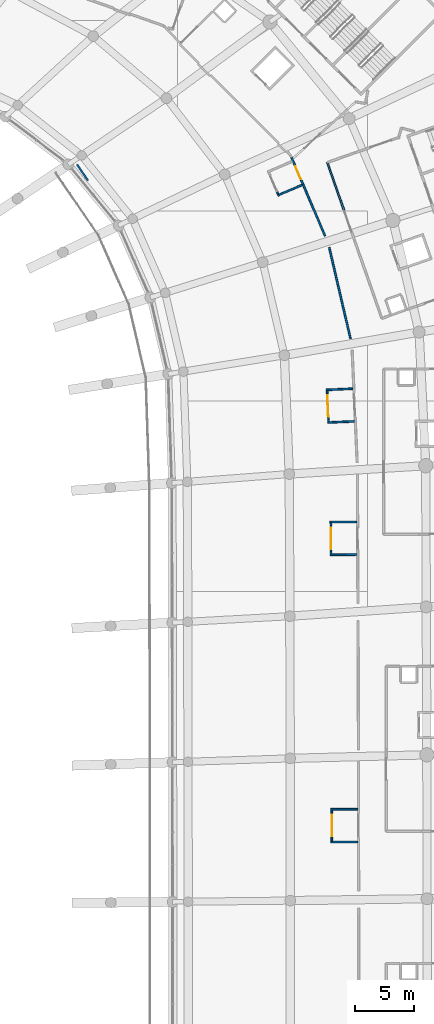
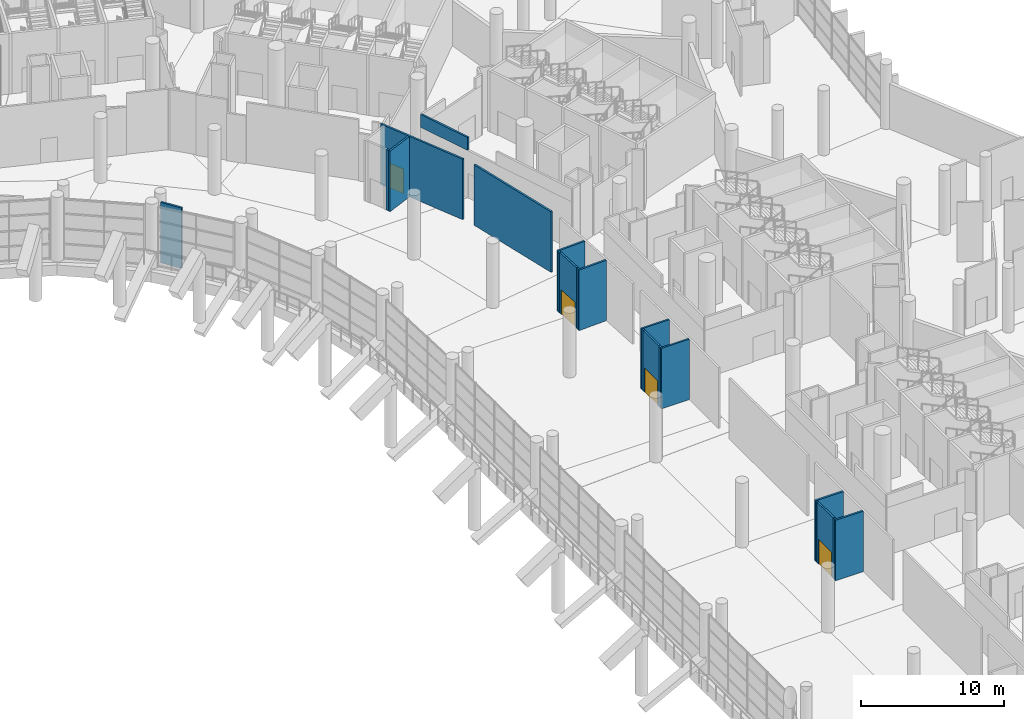
# One storey, part 190 of 271: 21 walls, 4 doors, 4 openings.
"""IFC4 building model written with IfcOpenShell, lengths in metres."""

from ifc_helpers import new_model, si_unit, direction, frame, frame_2d, origin, place, context, subcontext, project, spatial, rectangle, extrude, material, layer, layer_set, type_object, element, fill, save


model = new_model("IFC4")

# Units and contexts
model_context = context("Model", 3, precision=1e-05, world=origin(), true_north=direction((0.0, 1.0)))
body_context = subcontext(model_context, "Body", "Model", "MODEL_VIEW")
ifc_project = project(units=[si_unit("LENGTHUNIT", "METRE"), si_unit("AREAUNIT", "SQUARE_METRE"), si_unit("VOLUMEUNIT", "CUBIC_METRE"), si_unit("PLANEANGLEUNIT", "RADIAN"), si_unit("MASSUNIT", "GRAM", prefix="KILO")], contexts=[model_context])

# Site, building, storey
site_placement = place(None, origin())
site = spatial("IfcSite", under=ifc_project, at=site_placement, CompositionType="ELEMENT")
building_placement = place(site_placement, origin())
building = spatial("IfcBuilding", under=site, at=building_placement, Name="Meseta Stadium", CompositionType="ELEMENT")
storey_placement = place(building_placement, frame((0.0, 0.0, 6.5)))
storey = spatial("IfcBuildingStorey", under=building, at=storey_placement, Name="L01", CompositionType="ELEMENT", Elevation=6.5)

# Walls
ifc_material_1 = material(Name="Masonry blockwork", Category="masonry")
ifc_layer = layer(ifc_material_1, 0.14990234375)
ifc_layer_set = layer_set([ifc_layer], Name="Partition 150")
wall_type = type_object("IfcWallType", Name="Partition 150", PredefinedType="PARTITIONING", material=ifc_layer_set)
wall_1_placement = place(storey_placement, frame((76.768310546875, 60.917724609375, 0.0), z_axis=(0.0, 0.0, 1.0), x_axis=(0.226944673482, -0.973907652284, 0.0)))
element("IfcWall", 1, at=wall_1_placement, inside=storey, type_object=wall_type, Name="Partition L01 L01-cell04-0-0", PredefinedType="PARTITIONING", context=body_context, shape_type="SweptSolid", body=[
    extrude(rectangle(XDim=7.882080078125, YDim=0.14990234375, at=frame_2d((3.94091796875, 0.0))), origin(), (0.0, 0.0, 1.0), 5.14990234375),
])
wall_2_placement = place(storey_placement, frame((56.473388671875, 66.54736328125, 0.0), z_axis=(0.0, 0.0, 1.0), x_axis=(-0.562994599626, 0.826460574252, 0.0)))
element("IfcWall", 2, at=wall_2_placement, inside=storey, type_object=wall_type, Name="Partition L01 L01-cell05-0-0", PredefinedType="PARTITIONING", context=body_context, shape_type="SweptSolid", body=[
    extrude(rectangle(XDim=1.638427734375, YDim=0.14990234375, at=frame_2d((0.8193359375, 0.0))), origin(), (0.0, 0.0, 1.0), 5.14990234375),
])

# Wall, opening, door
wall_3_placement = place(storey_placement, frame((73.595458984375, 68.487548828125, 0.0), z_axis=(0.0, 0.0, 1.0), x_axis=(0.392716080943, -0.919659763047, 0.0)))
wall_3 = element("IfcWall", 3, at=wall_3_placement, inside=storey, type_object=wall_type, Name="Partition L01 L01-cell05-0-0", PredefinedType="PARTITIONING", context=body_context, shape_type="SweptSolid", body=[
    extrude(rectangle(XDim=7.17724609375, YDim=0.14990234375, at=frame_2d((3.588623046875, 0.0))), origin(), (0.0, 0.0, 1.0), 5.14990234375),
])
opening_1_placement = place(wall_3_placement, frame((0.800048828125, 0.0, 0.0)))
opening_1 = element("IfcOpeningElement", 4, at=opening_1_placement, cuts=wall_3, Name="Opening D646", PredefinedType="OPENING", context=body_context, shape_type="SweptSolid", body=[
    extrude(rectangle(XDim=1.199951171875, YDim=2.10009765625, at=frame_2d((0.60009765625, 1.050048828125))), frame((0.0, 0.0849609375, 0.0), z_axis=(0.0, -1.0, 0.0), x_axis=(1.0, 0.0, 0.0)), (0.0, 0.0, 1.0), 0.169921875),
])
ifc_material_2 = material(Name="Steel", Category="steel")
door_type_1 = type_object("IfcDoorType", Name="Fire door 1200x2100 EI2 60", OperationType="NOTDEFINED", PredefinedType="DOOR", material=ifc_material_2)
door_1_placement = place(opening_1_placement, origin())
door_1 = element("IfcDoor", 5, at=door_1_placement, inside=storey, type_object=door_type_1, Name="Door D646", OperationType="SINGLE_SWING_LEFT", OverallHeight=2.10009765625, OverallWidth=1.199951171875, PredefinedType="DOOR", context=body_context, shape_type="SweptSolid", body=[
    extrude(rectangle(XDim=1.199951171875, YDim=2.10009765625, at=frame_2d((0.60009765625, 1.050048828125))), frame((0.0, 0.02490234375, 0.0), z_axis=(0.0, -1.0, 0.0), x_axis=(1.0, 0.0, 0.0)), (0.0, 0.0, 1.0), 0.050048828125),
])
fill(opening_1, door_1)

# Walls
wall_4_placement = place(storey_placement, frame((76.605224609375, 68.067138671875, 4.050048828125), z_axis=(0.0, 0.0, 1.0), x_axis=(0.330261909448, -0.943889332055, 0.0)))
element("IfcWall", 6, at=wall_4_placement, inside=storey, type_object=wall_type, Name="Stair vestibule wall L01 core 06", PredefinedType="PARTITIONING", context=body_context, shape_type="SweptSolid", body=[
    extrude(rectangle(XDim=4.300048828125, YDim=0.14990234375, at=frame_2d((2.14990234375, 0.0))), origin(), (0.0, 0.0, 1.0), 1.099853515625),
])
for number, where, z_axis, x_axis, name in (
    (7, (79.15771484375, 13.6650390625, 0.0), (0.0, 0.0, 1.0), (-0.999999711543, -0.000759548392, 0.0), "Partition L01 L01-cell02-0-0 vestibule"),
    (8, (79.159912109375, 10.9150390625, 0.0), (0.0, 0.0, 1.0), (-0.999999711543, -0.000759548392, 0.0), "Partition L01 L01-cell02-0-0 vestibule"),
):
    element("IfcWall", number, at=place(storey_placement, frame(where, z_axis=z_axis, x_axis=x_axis)), inside=storey, type_object=wall_type, Name=name, PredefinedType="PARTITIONING", context=body_context, shape_type="SweptSolid", body=[
        extrude(rectangle(XDim=2.25, YDim=0.14990234375, at=frame_2d((1.125, 0.0))), origin(), (0.0, 0.0, 1.0), 5.14990234375),
    ])
wall_5_placement = place(storey_placement, frame((76.98291015625, 13.58837890625, 0.0), z_axis=(0.0, 0.0, 1.0), x_axis=(0.0, -1.0, 0.0)))
element("IfcWall", 9, at=wall_5_placement, inside=storey, type_object=wall_type, Name="Partition L01 L01-cell02-0-0 vestibule", PredefinedType="PARTITIONING", context=body_context, shape_type="SweptSolid", body=[
    extrude(rectangle(XDim=0.199951171875, YDim=0.14990234375, at=frame_2d((0.10009765625, 0.0))), origin(), (0.0, 0.0, 1.0), 5.14990234375),
])

# Wall, opening, door
wall_6_placement = place(storey_placement, frame((76.98291015625, 13.388427734375, 0.0), z_axis=(0.0, 0.0, 1.0), x_axis=(0.000776828087, -0.999999698269, 0.0)))
wall_6 = element("IfcWall", 10, at=wall_6_placement, inside=storey, type_object=wall_type, Name="Partition L01 L01-cell02-0-0 vestibule", PredefinedType="PARTITIONING", context=body_context, shape_type="SweptSolid", body=[
    extrude(rectangle(XDim=2.199951171875, YDim=0.14990234375, at=frame_2d((1.10009765625, 0.0))), origin(), (0.0, 0.0, 1.0), 5.14990234375),
])
opening_2_placement = place(wall_6_placement, frame((0.199951171875, 0.0, 0.0)))
opening_2 = element("IfcOpeningElement", 11, at=opening_2_placement, cuts=wall_6, Name="Opening D888", PredefinedType="OPENING", context=body_context, shape_type="SweptSolid", body=[
    extrude(rectangle(XDim=1.800048828125, YDim=2.10009765625, at=frame_2d((0.89990234375, 1.050048828125))), frame((0.0, 0.0849609375, 0.0), z_axis=(0.0, -1.0, 0.0), x_axis=(1.0, 0.0, 0.0)), (0.0, 0.0, 1.0), 0.169921875),
])
ifc_material_3 = material(Name="Steel", Category="steel")
door_type_2 = type_object("IfcDoorType", Name="Fire double door 1800x2100 EI2 60", OperationType="DOUBLE_DOOR_SINGLE_SWING", PredefinedType="DOOR", material=ifc_material_3)
door_2_placement = place(opening_2_placement, origin())
door_2 = element("IfcDoor", 12, at=door_2_placement, inside=storey, type_object=door_type_2, Name="Vestibule door L01 L01-cell02-0-0", OperationType="DOUBLE_DOOR_SINGLE_SWING", OverallHeight=2.10009765625, OverallWidth=1.800048828125, PredefinedType="DOOR", context=body_context, shape_type="SweptSolid", body=[
    extrude(rectangle(XDim=1.800048828125, YDim=2.10009765625, at=frame_2d((0.89990234375, 1.050048828125))), frame((0.0, 0.02490234375, 0.0), z_axis=(0.0, -1.0, 0.0), x_axis=(1.0, 0.0, 0.0)), (0.0, 0.0, 1.0), 0.050048828125),
])
fill(opening_2, door_2)

# Walls
wall_7_placement = place(storey_placement, frame((76.984619140625, 11.1884765625, 0.0), z_axis=(0.0, 0.0, 1.0), x_axis=(0.001221000311, -0.999999254579, 0.0)))
element("IfcWall", 13, at=wall_7_placement, inside=storey, type_object=wall_type, Name="Partition L01 L01-cell02-0-0 vestibule", PredefinedType="PARTITIONING", context=body_context, shape_type="SweptSolid", body=[
    extrude(rectangle(XDim=0.199951171875, YDim=0.14990234375, at=frame_2d((0.10009765625, 0.0))), origin(), (0.0, 0.0, 1.0), 5.14990234375),
])
for number, where, z_axis, x_axis, name in (
    (14, (79.079833984375, 37.834716796875, 0.0), (0.0, 0.0, 1.0), (-0.999992788652, -0.003797715669, 0.0), "Partition L01 L01-cell03-0-0 vestibule"),
    (15, (79.09033203125, 35.084716796875, 0.0), (0.0, 0.0, 1.0), (-0.999992788652, -0.003797715669, 0.0), "Partition L01 L01-cell03-0-0 vestibule"),
):
    element("IfcWall", number, at=place(storey_placement, frame(where, z_axis=z_axis, x_axis=x_axis)), inside=storey, type_object=wall_type, Name=name, PredefinedType="PARTITIONING", context=body_context, shape_type="SweptSolid", body=[
        extrude(rectangle(XDim=2.25, YDim=0.14990234375, at=frame_2d((1.125, 0.0))), origin(), (0.0, 0.0, 1.0), 5.14990234375),
    ])
wall_8_placement = place(storey_placement, frame((76.905029296875, 37.75146484375, 0.0), z_axis=(0.0, 0.0, 1.0), x_axis=(0.004883946635, -0.999988073462, 0.0)))
element("IfcWall", 16, at=wall_8_placement, inside=storey, type_object=wall_type, Name="Partition L01 L01-cell03-0-0 vestibule", PredefinedType="PARTITIONING", context=body_context, shape_type="SweptSolid", body=[
    extrude(rectangle(XDim=0.199951171875, YDim=0.14990234375, at=frame_2d((0.10009765625, 0.0))), origin(), (0.0, 0.0, 1.0), 5.14990234375),
])

# Wall, opening, door
wall_9_placement = place(storey_placement, frame((76.906005859375, 37.551513671875, 0.0), z_axis=(0.0, 0.0, 1.0), x_axis=(0.003773139272, -0.999992881685, 0.0)))
wall_9 = element("IfcWall", 17, at=wall_9_placement, inside=storey, type_object=wall_type, Name="Partition L01 L01-cell03-0-0 vestibule", PredefinedType="PARTITIONING", context=body_context, shape_type="SweptSolid", body=[
    extrude(rectangle(XDim=2.199951171875, YDim=0.14990234375, at=frame_2d((1.10009765625, 0.0))), origin(), (0.0, 0.0, 1.0), 5.14990234375),
])
opening_3_placement = place(wall_9_placement, frame((0.199951171875, 0.0, 0.0)))
opening_3 = element("IfcOpeningElement", 18, at=opening_3_placement, cuts=wall_9, Name="Opening D889", PredefinedType="OPENING", context=body_context, shape_type="SweptSolid", body=[
    extrude(rectangle(XDim=1.800048828125, YDim=2.10009765625, at=frame_2d((0.89990234375, 1.050048828125))), frame((0.0, 0.0849609375, 0.0), z_axis=(0.0, -1.0, 0.0), x_axis=(1.0, 0.0, 0.0)), (0.0, 0.0, 1.0), 0.169921875),
])
door_3_placement = place(opening_3_placement, origin())
door_3 = element("IfcDoor", 19, at=door_3_placement, inside=storey, type_object=door_type_2, Name="Vestibule door L01 L01-cell03-0-0", OperationType="DOUBLE_DOOR_SINGLE_SWING", OverallHeight=2.10009765625, OverallWidth=1.800048828125, PredefinedType="DOOR", context=body_context, shape_type="SweptSolid", body=[
    extrude(rectangle(XDim=1.800048828125, YDim=2.10009765625, at=frame_2d((0.89990234375, 1.050048828125))), frame((0.0, 0.02490234375, 0.0), z_axis=(0.0, -1.0, 0.0), x_axis=(1.0, 0.0, 0.0)), (0.0, 0.0, 1.0), 0.050048828125),
])
fill(opening_3, door_3)

# Walls
wall_10_placement = place(storey_placement, frame((76.914306640625, 35.3515625, 0.0), z_axis=(0.0, 0.0, 1.0), x_axis=(0.003662979089, -0.99999329127, 0.0)))
element("IfcWall", 20, at=wall_10_placement, inside=storey, type_object=wall_type, Name="Partition L01 L01-cell03-0-0 vestibule", PredefinedType="PARTITIONING", context=body_context, shape_type="SweptSolid", body=[
    extrude(rectangle(XDim=0.199951171875, YDim=0.14990234375, at=frame_2d((0.10009765625, 0.0))), origin(), (0.0, 0.0, 1.0), 5.14990234375),
])
wall_11_placement = place(storey_placement, frame((78.7607421875, 49.040771484375, 0.0), z_axis=(0.0, 0.0, 1.0), x_axis=(-0.998995432738, -0.044812111841, 0.0)))
element("IfcWall", 21, at=wall_11_placement, inside=storey, type_object=wall_type, Name="Partition L01 L01-cell04-0-0 vestibule", PredefinedType="PARTITIONING", context=body_context, shape_type="SweptSolid", body=[
    extrude(rectangle(XDim=2.25, YDim=0.14990234375, at=frame_2d((1.125, 0.0))), origin(), (0.0, 0.0, 1.0), 5.14990234375),
])
wall_12_placement = place(storey_placement, frame((78.8837890625, 46.29345703125, 0.0), z_axis=(0.0, 0.0, 1.0), x_axis=(-0.998995214814, -0.044816969772, 0.0)))
element("IfcWall", 22, at=wall_12_placement, inside=storey, type_object=wall_type, Name="Partition L01 L01-cell04-0-0 vestibule", PredefinedType="PARTITIONING", context=body_context, shape_type="SweptSolid", body=[
    extrude(rectangle(XDim=2.249755859375, YDim=0.14990234375, at=frame_2d((1.125, 0.0))), origin(), (0.0, 0.0, 1.0), 5.14990234375),
])
wall_13_placement = place(storey_placement, frame((76.59130859375, 48.868408203125, 0.0), z_axis=(0.0, 0.0, 1.0), x_axis=(0.04518607304, -0.99897858776, 0.0)))
element("IfcWall", 23, at=wall_13_placement, inside=storey, type_object=wall_type, Name="Partition L01 L01-cell04-0-0 vestibule", PredefinedType="PARTITIONING", context=body_context, shape_type="SweptSolid", body=[
    extrude(rectangle(XDim=0.199951171875, YDim=0.14990234375, at=frame_2d((0.10009765625, 0.0))), origin(), (0.0, 0.0, 1.0), 5.14990234375),
])

# Wall, opening, door
wall_14_placement = place(storey_placement, frame((76.600341796875, 48.668701171875, 0.0), z_axis=(0.0, 0.0, 1.0), x_axis=(0.04471807814, -0.99899964639, 0.0)))
wall_14 = element("IfcWall", 24, at=wall_14_placement, inside=storey, type_object=wall_type, Name="Partition L01 L01-cell04-0-0 vestibule", PredefinedType="PARTITIONING", context=body_context, shape_type="SweptSolid", body=[
    extrude(rectangle(XDim=2.2001953125, YDim=0.14990234375, at=frame_2d((1.10009765625, 0.0))), origin(), (0.0, 0.0, 1.0), 5.14990234375),
])
opening_4_placement = place(wall_14_placement, frame((0.199951171875, 0.0, 0.0)))
opening_4 = element("IfcOpeningElement", 25, at=opening_4_placement, cuts=wall_14, Name="Opening D892", PredefinedType="OPENING", context=body_context, shape_type="SweptSolid", body=[
    extrude(rectangle(XDim=1.800048828125, YDim=2.10009765625, at=frame_2d((0.89990234375, 1.050048828125))), frame((0.0, 0.0849609375, 0.0), z_axis=(0.0, -1.0, 0.0), x_axis=(1.0, 0.0, 0.0)), (0.0, 0.0, 1.0), 0.169921875),
])
door_4_placement = place(opening_4_placement, origin())
door_4 = element("IfcDoor", 26, at=door_4_placement, inside=storey, type_object=door_type_2, Name="Vestibule door L01 L01-cell04-0-0", OperationType="DOUBLE_DOOR_SINGLE_SWING", OverallHeight=2.10009765625, OverallWidth=1.800048828125, PredefinedType="DOOR", context=body_context, shape_type="SweptSolid", body=[
    extrude(rectangle(XDim=1.800048828125, YDim=2.10009765625, at=frame_2d((0.89990234375, 1.050048828125))), frame((0.0, 0.02490234375, 0.0), z_axis=(0.0, -1.0, 0.0), x_axis=(1.0, 0.0, 0.0)), (0.0, 0.0, 1.0), 0.050048828125),
])
fill(opening_4, door_4)

# Walls
wall_15_placement = place(storey_placement, frame((76.69873046875, 46.470703125, 0.0), z_axis=(0.0, 0.0, 1.0), x_axis=(0.04518607304, -0.99897858776, 0.0)))
element("IfcWall", 27, at=wall_15_placement, inside=storey, type_object=wall_type, Name="Partition L01 L01-cell04-0-0 vestibule", PredefinedType="PARTITIONING", context=body_context, shape_type="SweptSolid", body=[
    extrude(rectangle(XDim=0.199951171875, YDim=0.14990234375, at=frame_2d((0.10009765625, 0.0))), origin(), (0.0, 0.0, 1.0), 5.14990234375),
])
wall_16_placement = place(storey_placement, frame((74.498291015625, 66.181884765625, 0.0), z_axis=(0.0, 0.0, 1.0), x_axis=(-0.919660619765, -0.392714074682, 0.0)))
element("IfcWall", 28, at=wall_16_placement, inside=storey, type_object=wall_type, Name="Partition L01 L01-cell05-0-0 vestibule", PredefinedType="PARTITIONING", context=body_context, shape_type="SweptSolid", body=[
    extrude(rectangle(XDim=2.249755859375, YDim=0.14990234375, at=frame_2d((1.125, 0.0))), origin(), (0.0, 0.0, 1.0), 5.14990234375),
])
wall_17_placement = place(storey_placement, frame((72.39013671875, 65.58056640625, 0.0), z_axis=(0.0, 0.0, 1.0), x_axis=(0.393182323567, -0.91946052685, 0.0)))
element("IfcWall", 29, at=wall_17_placement, inside=storey, type_object=wall_type, Name="Partition L01 L01-cell05-0-0 vestibule", PredefinedType="PARTITIONING", context=body_context, shape_type="SweptSolid", body=[
    extrude(rectangle(XDim=0.199951171875, YDim=0.14990234375, at=frame_2d((0.10009765625, 0.0))), origin(), (0.0, 0.0, 1.0), 5.14990234375),
])

save(model, "model.ifc")
